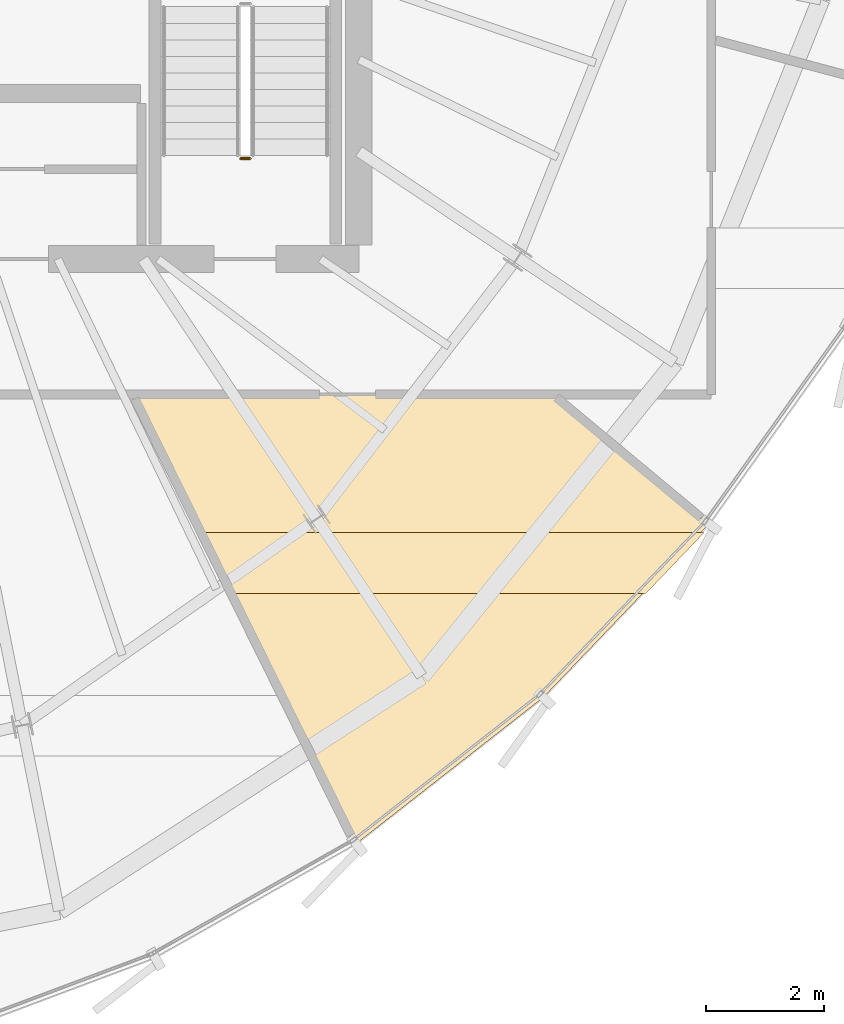
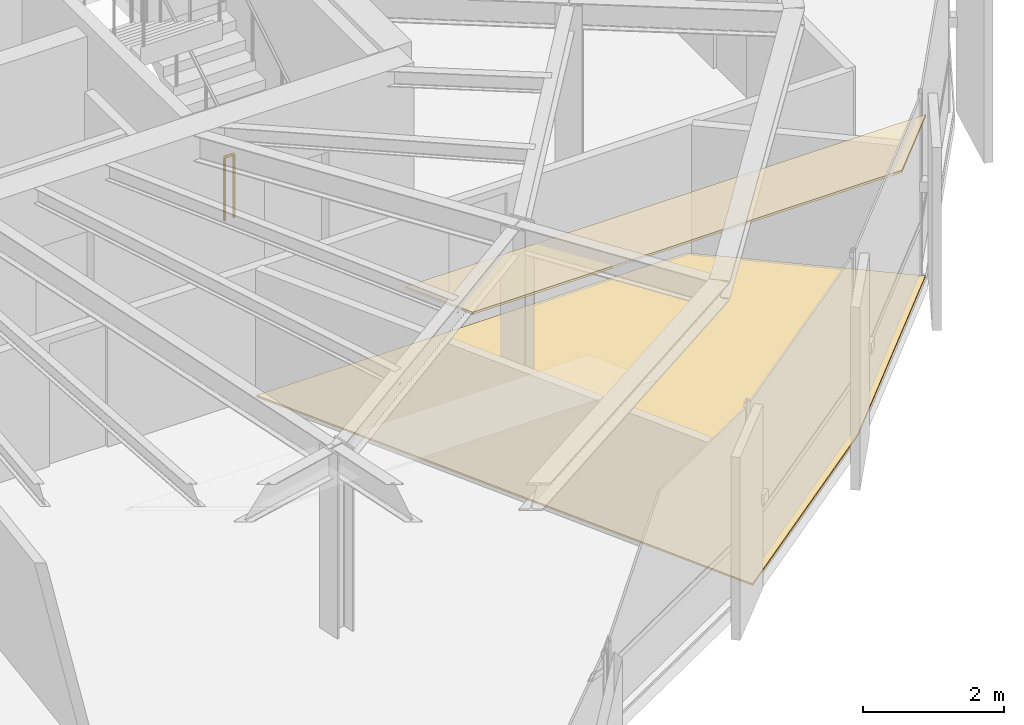
# One storey, part 31 of 33: 2 coverings, 1 railing.
"""IFC4 building model written with IfcOpenShell, lengths in metres."""

import ifcopenshell
import ifcopenshell.guid

model = None  # the IFC model being written
_history = None  # IfcOwnerHistory: only IFC2X3 demands one
_inside = {}  # id of a spatial element -> (the spatial element, [elements in it])
_under = {}  # id of a project, library or spatial element -> (it, [spatial elements below it])
_declared = {}  # id of a project -> (the project, [libraries it declares])
_typed = {}  # id of a type object -> (the type object, [elements of that type])
_made_of = {}  # id of a material, layer set ... -> (it, [elements and type objects made of it])


def new_model(schema):
    """Start an empty IFC model of exactly this schema.

    Asked for "IFC4X3", IfcOpenShell would pick the latest addendum, in which some entities
    have other attributes; the version numbers below select the first issue.
    IFC2X3 requires an IfcOwnerHistory on every rooted entity: one is made here for all.
    """
    global model, _history
    if schema == "IFC4X3":
        model = ifcopenshell.file(schema_version=(4, 3, 0, 0))
    else:
        model = ifcopenshell.file(schema=schema)
    _inside.clear()
    _under.clear()
    _declared.clear()
    _typed.clear()
    _made_of.clear()
    _history = None
    if model.schema == "IFC2X3":
        org = make("IfcOrganization", Name="unknown")
        user = make(
            "IfcPersonAndOrganization",
            ThePerson=make("IfcPerson", FamilyName="unknown"),
            TheOrganization=org,
        )
        app = make(
            "IfcApplication",
            ApplicationDeveloper=org,
            Version="unknown",
            ApplicationFullName="unknown",
            ApplicationIdentifier="unknown",
        )
        _history = make(
            "IfcOwnerHistory",
            OwningUser=user,
            OwningApplication=app,
            ChangeAction="ADDED",
            CreationDate=0,
        )
    return model


def make(cls, **values):
    """One entity of the class cls with the attributes given. An attribute that is None is left unset."""
    return model.create_entity(
        cls, **{name: value for name, value in values.items() if value is not None}
    )


def rooted(cls, **values):
    """An entity with a GlobalId (a new one), such as an element, a storey or a relation."""
    return make(cls, GlobalId=ifcopenshell.guid.new(), OwnerHistory=_history, **values)


def si_unit(unit_type, name, prefix=None):
    """IfcSIUnit, for example si_unit("LENGTHUNIT", "METRE", prefix="MILLI")."""
    return make("IfcSIUnit", UnitType=unit_type, Prefix=prefix, Name=name)


def assignment(units):
    """IfcUnitAssignment: the units of a project."""
    return None if units is None else make("IfcUnitAssignment", Units=units)


def point(xyz):
    """IfcCartesianPoint."""
    return None if xyz is None else make("IfcCartesianPoint", Coordinates=xyz)


def direction(xyz):
    """IfcDirection."""
    return None if xyz is None else make("IfcDirection", DirectionRatios=xyz)


def frame(location, z_axis=None, x_axis=None):
    """IfcAxis2Placement3D, a coordinate frame: its origin and axes. An axis left out is left unset."""
    return make(
        "IfcAxis2Placement3D",
        Location=point(location),
        Axis=direction(z_axis),
        RefDirection=direction(x_axis),
    )


def frame_2d(location, x_axis=None):
    """IfcAxis2Placement2D, a coordinate frame in the plane: its origin and x axis."""
    return make(
        "IfcAxis2Placement2D", Location=point(location), RefDirection=direction(x_axis)
    )


def origin():
    """The frame at (0, 0, 0) with its axes left unset."""
    return frame((0.0, 0.0, 0.0))


def origin_2d():
    """The frame at (0, 0) in the plane with its x axis left unset."""
    return frame_2d((0.0, 0.0))


def place(relative_to, where):
    """IfcLocalPlacement: puts the frame where relative to a parent placement (None: the world)."""
    return make(
        "IfcLocalPlacement", PlacementRelTo=relative_to, RelativePlacement=where
    )


def context(
    kind, dimensions, precision=None, world=None, true_north=None, identifier=None
):
    """IfcGeometricRepresentationContext, for example the 3D "Model" context."""
    return make(
        "IfcGeometricRepresentationContext",
        ContextIdentifier=identifier,
        ContextType=kind,
        CoordinateSpaceDimension=dimensions,
        Precision=precision,
        WorldCoordinateSystem=world,
        TrueNorth=true_north,
    )


def subcontext(parent, identifier, kind, view, scale=None):
    """IfcGeometricRepresentationSubContext, for example "Body" below "Model"."""
    return make(
        "IfcGeometricRepresentationSubContext",
        ContextIdentifier=identifier,
        ContextType=kind,
        ParentContext=parent,
        TargetScale=scale,
        TargetView=view,
    )


def project(units=None, contexts=None):
    """IfcProject with its units and contexts."""
    return rooted(
        "IfcProject",
        Name="project",
        RepresentationContexts=contexts,
        UnitsInContext=assignment(units),
    )


def spatial(cls, under=None, at=None, **own):
    """A site, building, storey or space (cls), placed at a placement, below another one or the project."""
    s = rooted(cls, ObjectPlacement=at, **own)
    if under is not None:
        _under.setdefault(under.id(), (under, []))[1].append(s)
    return s


def polyline(points):
    """IfcPolyline through the points."""
    return make("IfcPolyline", Points=[point(p) for p in points])


def profile(cls, at=None, kind="AREA", **sizes):
    """A parametric profile (cls). Its sizes go by their IFC names, for example OverallWidth=200.0."""
    return make(cls, ProfileType=kind, Position=at, **sizes)


def circle(**sizes):
    """IfcCircleProfileDef."""
    return profile("IfcCircleProfileDef", **sizes)


def outline(outer, holes=None, kind="AREA"):
    """IfcArbitraryClosedProfileDef: a profile drawn as a closed curve; with holes, ...WithVoids."""
    if holes is None:
        return make("IfcArbitraryClosedProfileDef", ProfileType=kind, OuterCurve=outer)
    return make(
        "IfcArbitraryProfileDefWithVoids",
        ProfileType=kind,
        OuterCurve=outer,
        InnerCurves=holes,
    )


def extrude(swept, where, along, depth):
    """IfcExtrudedAreaSolid: the profile swept, set in the frame where, extruded along a direction by depth."""
    return make(
        "IfcExtrudedAreaSolid",
        SweptArea=swept,
        Position=where,
        ExtrudedDirection=direction(along),
        Depth=depth,
    )


def shape(context_of_items, identifier, shape_type, items):
    """IfcShapeRepresentation: the items that make up one representation, for example the "Body"."""
    return make(
        "IfcShapeRepresentation",
        ContextOfItems=context_of_items,
        RepresentationIdentifier=identifier,
        RepresentationType=shape_type,
        Items=items,
    )


def material(Name=None, Category=None):
    """IfcMaterial."""
    return make("IfcMaterial", Name=Name, Category=Category)


def layer(
    of_material, thickness, ventilated=None, Name=None, Category=None, Priority=None
):
    """IfcMaterialLayer: one layer of a wall or slab, of a material (None: an air gap)."""
    return make(
        "IfcMaterialLayer",
        Material=of_material,
        LayerThickness=thickness,
        IsVentilated=ventilated,
        Name=Name,
        Category=Category,
        Priority=Priority,
    )


def layer_set(layers, Name=None):
    """IfcMaterialLayerSet."""
    return make("IfcMaterialLayerSet", MaterialLayers=layers, LayerSetName=Name)


def made_of(thing, what):
    """Note that an element or type object is made of a material, layer set ...; save() writes the relation."""
    if what is not None:
        _made_of.setdefault(what.id(), (what, []))[1].append(thing)
    return thing


def type_object(cls, material=None, **own):
    """A type object (cls), such as IfcWallType, which elements share."""
    return made_of(rooted(cls, **own), material)


def element(
    cls,
    number,
    at=None,
    inside=None,
    cuts=None,
    type_object=None,
    material=None,
    context=None,
    identifier="Body",
    shape_type=None,
    held_by="IfcProductDefinitionShape",
    body=None,
    shapes=None,
    **own,
):
    """One element of the class cls, such as IfcWall. Its Tag is "e" and its number.

    at: its placement. inside: the storey or other place that contains it. cuts: it is an
    opening in that element (IfcRelVoidsElement). A single representation is given by context,
    identifier, shape_type and body (its items); several are given by shapes. held_by: the class
    of the entity that holds the representations. save() writes the other relations.
    """
    e = rooted(cls, Tag="e%d" % number, ObjectPlacement=at, **own)
    if body is not None:
        shapes = [shape(context, identifier, shape_type, body)]
    if shapes is not None:
        e.Representation = make(held_by, Representations=shapes)
    if inside is not None:
        _inside.setdefault(inside.id(), (inside, []))[1].append(e)
    if cuts is not None:
        rooted(
            "IfcRelVoidsElement", RelatingBuildingElement=cuts, RelatedOpeningElement=e
        )
    if type_object is not None:
        _typed.setdefault(type_object.id(), (type_object, []))[1].append(e)
    return made_of(e, material)


def aggregate(whole, parts):
    """IfcRelAggregates: a whole, such as a stair, and the parts it consists of."""
    return rooted("IfcRelAggregates", RelatingObject=whole, RelatedObjects=parts)


def save(model, path):
    """Write the relations noted so far, then the file.

    IfcRelAggregates (storeys below a building ...), IfcRelContainedInSpatialStructure (elements
    in a storey), IfcRelDefinesByType, IfcRelAssociatesMaterial and IfcRelDeclares: one each for
    every whole, place, type object, material and project.
    """
    for whole, parts in _under.values():
        aggregate(whole, parts)
    for where, things in _inside.values():
        rooted(
            "IfcRelContainedInSpatialStructure",
            RelatedElements=things,
            RelatingStructure=where,
        )
    for kind, things in _typed.values():
        rooted("IfcRelDefinesByType", RelatedObjects=things, RelatingType=kind)
    for what, things in _made_of.values():
        rooted("IfcRelAssociatesMaterial", RelatedObjects=things, RelatingMaterial=what)
    for by, libraries in _declared.values():
        rooted("IfcRelDeclares", RelatingContext=by, RelatedDefinitions=libraries)
    model.write(path)


model = new_model("IFC4")

# Units and contexts
model_context = context("Model", 3, precision=1e-05, world=origin(), true_north=direction((0.0, 1.0)))
body_context = subcontext(model_context, "Body", "Model", "MODEL_VIEW")
ifc_project = project(units=[si_unit("LENGTHUNIT", "METRE"), si_unit("AREAUNIT", "SQUARE_METRE"), si_unit("VOLUMEUNIT", "CUBIC_METRE"), si_unit("PLANEANGLEUNIT", "RADIAN"), si_unit("MASSUNIT", "GRAM", prefix="KILO"), si_unit("THERMODYNAMICTEMPERATUREUNIT", "KELVIN")], contexts=[model_context])

# Site, building, storey
site_placement = place(None, origin())
site = spatial("IfcSite", under=ifc_project, at=site_placement, CompositionType="ELEMENT")
building_placement = place(site_placement, origin())
building = spatial("IfcBuilding", under=site, at=building_placement, Name="Kethvar Cultural Tower", CompositionType="ELEMENT")
storey_placement = place(building_placement, frame((0.0, 0.0, 238.75)))
storey = spatial("IfcBuildingStorey", under=building, at=storey_placement, Name="L62", CompositionType="ELEMENT", Elevation=238.75)

# Coverings
ifc_material_1 = material(Name="Acoustic Mineral Fibre Ceiling")
ifc_layer_1 = layer(ifc_material_1, 0.0400390625, Name="Acoustic Mineral Fibre Ceiling")
ifc_layer_set_1 = layer_set([ifc_layer_1], Name="Acoustic Mineral Fibre Ceiling (40 mm)")
covering_type_1 = type_object("IfcCoveringType", Name="CV-ACOUSTIC-CEIL", PredefinedType="CEILING", material=ifc_layer_set_1)
covering_1_placement = place(storey_placement, frame((0.0, 0.0, 2.889892578125)))
element("IfcCovering", 1, at=covering_1_placement, inside=storey, type_object=covering_type_1, Name="L62 Room 04 Acoustic Ceiling Panel", PredefinedType="CEILING", context=body_context, shape_type="SweptSolid", body=[
    extrude(outline(polyline([(52.9130859375, 15.47216796875), (61.44775390625, 15.47216796875), (60.46337890625, 14.442138671875), (53.42578125, 14.442138671875), (52.9130859375, 15.47216796875)])), origin(), (0.0, 0.0, 1.0), 0.0400390625),
])
ifc_material_2 = material(Name="Honed Warm Limestone", Category="masonry")
ifc_layer_2 = layer(ifc_material_2, 0.030029296875, Name="Honed Warm Limestone", Category="masonry")
ifc_layer_set_2 = layer_set([ifc_layer_2], Name="Honed Warm Limestone (30 mm)")
covering_type_2 = type_object("IfcCoveringType", Name="CV-STONE-FLOOR", PredefinedType="FLOORING", material=ifc_layer_set_2)
covering_2_placement = place(storey_placement, origin())
element("IfcCovering", 2, at=covering_2_placement, inside=storey, type_object=covering_type_2, Name="L62 Room 04 Floor Finish", PredefinedType="FLOORING", context=body_context, shape_type="SweptSolid", body=[
    extrude(outline(polyline([(58.72314453125, 12.67919921875), (55.5732421875, 10.21728515625), (51.805908203125, 17.787109375), (58.872314453125, 17.787109375), (61.51513671875, 15.6005859375), (58.72314453125, 12.67919921875)])), origin(), (0.0, 0.0, 1.0), 0.030029296875),
])

# Railing
ifc_material_3 = material(Name="Steel S355J2", Category="steel")
railing_type = type_object("IfcRailingType", Name="RL-STAIR-GUARD", PredefinedType="BALUSTRADE", material=ifc_material_3)
railing_placement = place(storey_placement, frame((53.760009765625, 21.800048828125, 0.0)))
element("IfcRailing", 3, at=railing_placement, inside=storey, type_object=railing_type, Name="L62 ST-02 stair guard 4", PredefinedType="BALUSTRADE", context=body_context, shape_type="SweptSolid", body=[
    extrude(circle(Radius=0.02392578125, at=origin_2d()), frame((0.0, 0.0, 1.09619140625), z_axis=(-1.0, 0.0, 0.0), x_axis=(0.0, -1.0, 0.0)), (0.0, 0.0, 1.0), 0.159912109375),
    extrude(circle(Radius=0.02099609375, at=origin_2d()), origin(), (0.0, 0.0, 1.0), 1.072021484375),
    extrude(circle(Radius=0.02099609375, at=origin_2d()), frame((-0.159912109375, 0.0, 0.0)), (0.0, 0.0, 1.0), 1.072021484375),
])

save(model, "model.ifc")
